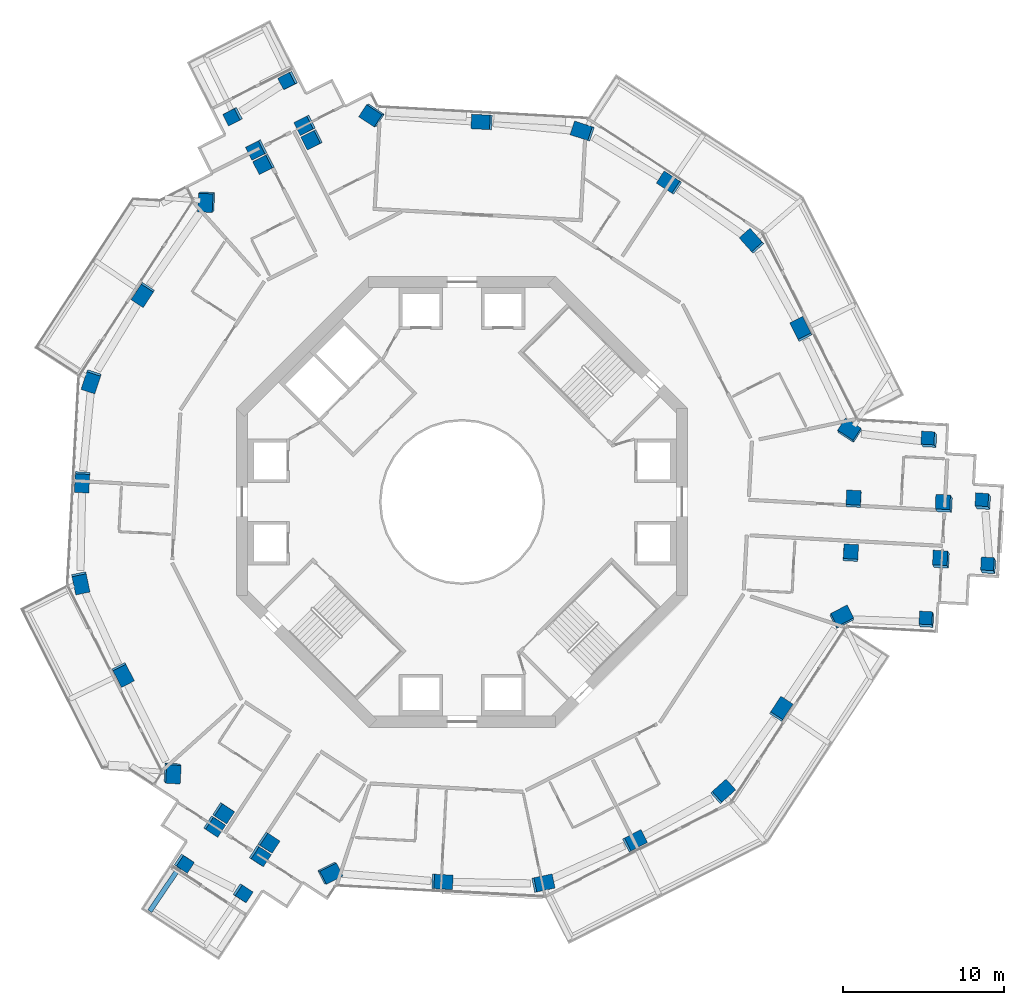
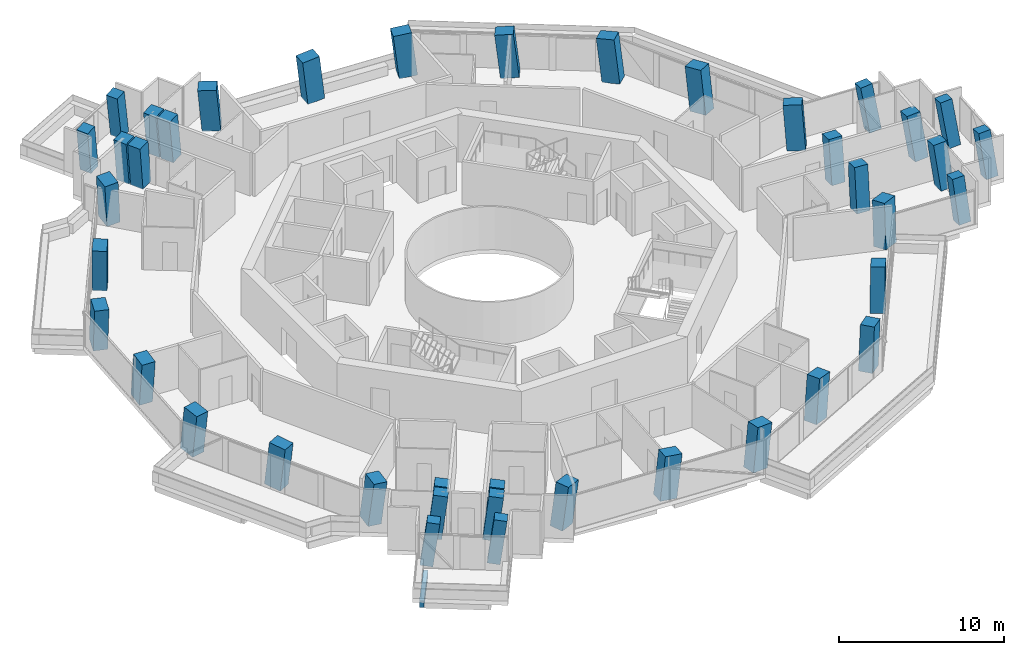
# One storey, part 1 of 23: 41 columns, 1 beam.
"""IFC4 building model written with IfcOpenShell, lengths in metres."""

from ifc_helpers import new_model, si_unit, direction, frame, origin, origin_2d, place, context, subcontext, project, spatial, rectangle, extrude, material, material_profile, profile_set, type_object, element, save


model = new_model("IFC4")

# Units and contexts
model_context = context("Model", 3, precision=1e-05, world=origin(), true_north=direction((0.0, 1.0)))
body_context = subcontext(model_context, "Body", "Model", "MODEL_VIEW")
ifc_project = project(units=[si_unit("LENGTHUNIT", "METRE"), si_unit("AREAUNIT", "SQUARE_METRE"), si_unit("VOLUMEUNIT", "CUBIC_METRE"), si_unit("PLANEANGLEUNIT", "RADIAN"), si_unit("MASSUNIT", "GRAM", prefix="KILO")], contexts=[model_context])

# Site, building, storey
site_placement = place(None, origin())
site = spatial("IfcSite", under=ifc_project, at=site_placement, CompositionType="ELEMENT")
building_placement = place(site_placement, origin())
building = spatial("IfcBuilding", under=site, at=building_placement, Name="Verdalira Terraces Hotel", CompositionType="ELEMENT")
storey_placement = place(building_placement, frame((0.0, 0.0, 143.5)))
storey = spatial("IfcBuildingStorey", under=building, at=storey_placement, Name="L34", CompositionType="ELEMENT", Elevation=143.5)

# Columns
ifc_material_1 = material(Name="Concrete C60", Category="concrete")
ifc_material_profile_1 = material_profile(ifc_material_1, rectangle(XDim=1.149902, YDim=0.899902, at=origin_2d()), Name="RC 1150X900")
ifc_profile_set_1 = profile_set([ifc_material_profile_1], Name="Concrete C60")
column_type_1 = type_object("IfcColumnType", Name="Column RC 1150X900 C60", PredefinedType="COLUMN", material=ifc_profile_set_1)
column_1_placement = place(storey_placement, frame((-15.820068, 18.646973, 0.0), z_axis=(-0.088026019, -0.075939545, 0.993219314), x_axis=(0.047605122, 0.995629833, 0.080342946)))
element("IfcColumn", 1, at=column_1_placement, inside=storey, type_object=column_type_1, Name="Column C01", PredefinedType="COLUMN", context=body_context, shape_type="SweptSolid", body=[
    extrude(rectangle(XDim=1.149902, YDim=0.899902, at=origin_2d()), origin(), (0.0, 0.0, 1.0), 3.21167),
])
column_2_placement = place(storey_placement, frame((-19.772705, 12.899414, 0.0), z_axis=(-0.060536429, -0.094531133, 0.993679629), x_axis=(-0.54295729, -0.832224418, -0.112249269)))
element("IfcColumn", 2, at=column_2_placement, inside=storey, type_object=column_type_1, Name="Column C02", PredefinedType="COLUMN", context=body_context, shape_type="SweptSolid", body=[
    extrude(rectangle(XDim=1.149902, YDim=0.899902, at=origin_2d()), origin(), (0.0, 0.0, 1.0), 3.210205),
])
column_3_placement = place(storey_placement, frame((-22.99292, 7.52417, 0.0), z_axis=(-0.034820141, -0.109630225, 0.993362357), x_axis=(0.308730223, 0.944169139, 0.115022986)))
element("IfcColumn", 3, at=column_3_placement, inside=storey, type_object=column_type_1, Name="Column C03", PredefinedType="COLUMN", context=body_context, shape_type="SweptSolid", body=[
    extrude(rectangle(XDim=1.149902, YDim=0.899902, at=origin_2d()), origin(), (0.0, 0.0, 1.0), 3.211182),
])
column_4_placement = place(storey_placement, frame((-23.573242, 1.284912, 0.0), z_axis=(-0.00517143, -0.112174402, 0.993675078), x_axis=(-0.054182514, -0.992197214, -0.112289553)))
element("IfcColumn", 4, at=column_4_placement, inside=storey, type_object=column_type_1, Name="Column C04", PredefinedType="COLUMN", context=body_context, shape_type="SweptSolid", body=[
    extrude(rectangle(XDim=1.149902, YDim=0.899902, at=origin_2d()), origin(), (0.0, 0.0, 1.0), 3.210205),
])
column_5_placement = place(storey_placement, frame((-23.674561, -4.980469, 0.0), z_axis=(0.024632565, -0.112367071, 0.993361404), x_axis=(-0.204463664, 0.97209178, 0.115031217)))
element("IfcColumn", 5, at=column_5_placement, inside=storey, type_object=column_type_1, Name="Column C05", PredefinedType="COLUMN", context=body_context, shape_type="SweptSolid", body=[
    extrude(rectangle(XDim=1.149902, YDim=0.899902, at=origin_2d()), origin(), (0.0, 0.0, 1.0), 3.211182),
])
column_6_placement = place(storey_placement, frame((-21.057617, -10.673828, 0.0), z_axis=(0.051637931, -0.099777564, 0.99366894), x_axis=(0.449211123, -0.88633415, -0.112343851)))
element("IfcColumn", 6, at=column_6_placement, inside=storey, type_object=column_type_1, Name="Column C06", PredefinedType="COLUMN", context=body_context, shape_type="SweptSolid", body=[
    extrude(rectangle(XDim=1.149902, YDim=0.899902, at=origin_2d()), origin(), (0.0, 0.0, 1.0), 3.210205),
])
column_7_placement = place(storey_placement, frame((-18.006836, -16.803223, 0.0), z_axis=(0.080644485, -0.084900932, 0.993120486), x_axis=(0.06063112, 0.994938482, 0.080132915)))
element("IfcColumn", 7, at=column_7_placement, inside=storey, type_object=column_type_1, Name="Column C07", PredefinedType="COLUMN", context=body_context, shape_type="SweptSolid", body=[
    extrude(rectangle(XDim=1.149902, YDim=0.899902, at=origin_2d()), origin(), (0.0, 0.0, 1.0), 3.212158),
])
column_8_placement = place(storey_placement, frame((-8.23877, -23.023926, 0.0), z_axis=(0.109841509, -0.038311502, 0.993210487), x_axis=(-0.886135997, -0.456398545, 0.080395044)))
element("IfcColumn", 8, at=column_8_placement, inside=storey, type_object=column_type_1, Name="Column C10", PredefinedType="COLUMN", context=body_context, shape_type="SweptSolid", body=[
    extrude(rectangle(XDim=1.149902, YDim=0.899902, at=origin_2d()), origin(), (0.0, 0.0, 1.0), 3.21167),
])
column_9_placement = place(storey_placement, frame((-1.284912, -23.573242, 0.0), z_axis=(0.112174402, -0.00517143, 0.993675078), x_axis=(0.992197214, -0.054182514, -0.112289553)))
element("IfcColumn", 9, at=column_9_placement, inside=storey, type_object=column_type_1, Name="Column C11", PredefinedType="COLUMN", context=body_context, shape_type="SweptSolid", body=[
    extrude(rectangle(XDim=1.149902, YDim=0.899902, at=origin_2d()), origin(), (0.0, 0.0, 1.0), 3.210205),
])
column_10_placement = place(storey_placement, frame((4.980469, -23.674561, 0.0), z_axis=(0.112367071, 0.024632565, 0.993361404), x_axis=(-0.97209178, -0.204463664, 0.115031217)))
element("IfcColumn", 10, at=column_10_placement, inside=storey, type_object=column_type_1, Name="Column C12", PredefinedType="COLUMN", context=body_context, shape_type="SweptSolid", body=[
    extrude(rectangle(XDim=1.149902, YDim=0.899902, at=origin_2d()), origin(), (0.0, 0.0, 1.0), 3.211182),
])
column_11_placement = place(storey_placement, frame((10.673828, -21.057617, 0.0), z_axis=(0.099777564, 0.051637931, 0.99366894), x_axis=(0.88633415, 0.449211123, -0.112343851)))
element("IfcColumn", 11, at=column_11_placement, inside=storey, type_object=column_type_1, Name="Column C13", PredefinedType="COLUMN", context=body_context, shape_type="SweptSolid", body=[
    extrude(rectangle(XDim=1.149902, YDim=0.899902, at=origin_2d()), origin(), (0.0, 0.0, 1.0), 3.210205),
])
column_12_placement = place(storey_placement, frame((16.150391, -18.012451, 0.0), z_axis=(0.084997843, 0.077471201, 0.993364777), x_axis=(-0.739822895, -0.662900147, 0.115002085)))
element("IfcColumn", 12, at=column_12_placement, inside=storey, type_object=column_type_1, Name="Column C14", PredefinedType="COLUMN", context=body_context, shape_type="SweptSolid", body=[
    extrude(rectangle(XDim=1.149902, YDim=0.899902, at=origin_2d()), origin(), (0.0, 0.0, 1.0), 3.211182),
])
column_13_placement = place(storey_placement, frame((19.772705, -12.899414, 0.0), z_axis=(0.060536429, 0.094531133, 0.993679629), x_axis=(0.54295729, 0.832224418, -0.112249269)))
element("IfcColumn", 13, at=column_13_placement, inside=storey, type_object=column_type_1, Name="Column C15", PredefinedType="COLUMN", context=body_context, shape_type="SweptSolid", body=[
    extrude(rectangle(XDim=1.149902, YDim=0.899902, at=origin_2d()), origin(), (0.0, 0.0, 1.0), 3.210205),
])
column_14_placement = place(storey_placement, frame((23.55542, -7.192627, 0.0), z_axis=(0.033215582, 0.112264107, 0.993123102), x_axis=(-0.892028419, -0.444821817, 0.080117729)))
element("IfcColumn", 14, at=column_14_placement, inside=storey, type_object=column_type_1, Name="Column C16", PredefinedType="COLUMN", context=body_context, shape_type="SweptSolid", body=[
    extrude(rectangle(XDim=1.149902, YDim=0.899902, at=origin_2d()), origin(), (0.0, 0.0, 1.0), 3.211914),
])
column_15_placement = place(storey_placement, frame((24.058838, 4.376953, 0.0), z_axis=(-0.021740335, 0.11425078, 0.993214034), x_axis=(0.838339949, -0.539190255, 0.080374114)))
element("IfcColumn", 15, at=column_15_placement, inside=storey, type_object=column_type_1, Name="Column C21", PredefinedType="COLUMN", context=body_context, shape_type="SweptSolid", body=[
    extrude(rectangle(XDim=1.149902, YDim=0.899902, at=origin_2d()), origin(), (0.0, 0.0, 1.0), 3.21167),
])
column_16_placement = place(storey_placement, frame((21.057617, 10.673828, 0.0), z_axis=(-0.051637931, 0.099777564, 0.99366894), x_axis=(-0.449211123, 0.88633415, -0.112343851)))
element("IfcColumn", 16, at=column_16_placement, inside=storey, type_object=column_type_1, Name="Column C22", PredefinedType="COLUMN", context=body_context, shape_type="SweptSolid", body=[
    extrude(rectangle(XDim=1.149902, YDim=0.899902, at=origin_2d()), origin(), (0.0, 0.0, 1.0), 3.210205),
])
column_17_placement = place(storey_placement, frame((18.012451, 16.150391, 0.0), z_axis=(-0.077471201, 0.084997843, 0.993364777), x_axis=(0.662900147, -0.739822895, 0.115002085)))
element("IfcColumn", 17, at=column_17_placement, inside=storey, type_object=column_type_1, Name="Column C23", PredefinedType="COLUMN", context=body_context, shape_type="SweptSolid", body=[
    extrude(rectangle(XDim=1.149902, YDim=0.899902, at=origin_2d()), origin(), (0.0, 0.0, 1.0), 3.211182),
])
column_18_placement = place(storey_placement, frame((12.899414, 19.772705, 0.0), z_axis=(-0.094531133, 0.060536429, 0.993679629), x_axis=(-0.832224418, 0.54295729, -0.112249269)))
element("IfcColumn", 18, at=column_18_placement, inside=storey, type_object=column_type_1, Name="Column C24", PredefinedType="COLUMN", context=body_context, shape_type="SweptSolid", body=[
    extrude(rectangle(XDim=1.149902, YDim=0.899902, at=origin_2d()), origin(), (0.0, 0.0, 1.0), 3.210205),
])
column_19_placement = place(storey_placement, frame((7.52417, 22.99292, 0.0), z_axis=(-0.109630225, 0.034820141, 0.993362357), x_axis=(0.944169139, -0.308730223, 0.115022986)))
element("IfcColumn", 19, at=column_19_placement, inside=storey, type_object=column_type_1, Name="Column C25", PredefinedType="COLUMN", context=body_context, shape_type="SweptSolid", body=[
    extrude(rectangle(XDim=1.149902, YDim=0.899902, at=origin_2d()), origin(), (0.0, 0.0, 1.0), 3.211182),
])
column_20_placement = place(storey_placement, frame((1.284912, 23.573242, 0.0), z_axis=(-0.112174402, 0.00517143, 0.993675078), x_axis=(-0.992197214, 0.054182514, -0.112289553)))
element("IfcColumn", 20, at=column_20_placement, inside=storey, type_object=column_type_1, Name="Column C26", PredefinedType="COLUMN", context=body_context, shape_type="SweptSolid", body=[
    extrude(rectangle(XDim=1.149902, YDim=0.899902, at=origin_2d()), origin(), (0.0, 0.0, 1.0), 3.210205),
])
column_21_placement = place(storey_placement, frame((-5.548584, 23.99585, 0.0), z_axis=(-0.113860152, -0.027286912, 0.993121992), x_axis=(0.830844982, -0.550705668, 0.080124173)))
element("IfcColumn", 21, at=column_21_placement, inside=storey, type_object=column_type_1, Name="Column C27", PredefinedType="COLUMN", context=body_context, shape_type="SweptSolid", body=[
    extrude(rectangle(XDim=1.149902, YDim=0.899902, at=origin_2d()), origin(), (0.0, 0.0, 1.0), 3.211914),
])
ifc_material_2 = material(Name="Concrete C60", Category="concrete")
ifc_material_profile_2 = material_profile(ifc_material_2, rectangle(XDim=0.800049, YDim=0.800049, at=origin_2d()), Name="RC 800X800")
ifc_profile_set_2 = profile_set([ifc_material_profile_2], Name="Concrete C60")
column_type_2 = type_object("IfcColumnType", Name="Column RC 800X800 C60", PredefinedType="COLUMN", material=ifc_profile_set_2)
column_22_placement = place(storey_placement, frame((-17.297363, -22.395996, 0.0), z_axis=(0.106936896, -0.081150694, 0.990948568), x_axis=(0.830755666, -0.54029344, -0.133895566)))
element("IfcColumn", 22, at=column_22_placement, inside=storey, type_object=column_type_2, Name="Column C08", PredefinedType="COLUMN", context=body_context, shape_type="SweptSolid", body=[
    extrude(rectangle(XDim=0.800049, YDim=0.800049, at=origin_2d()), origin(), (0.0, 0.0, 1.0), 3.218994),
])
column_23_placement = place(storey_placement, frame((-13.656494, -24.245605, 0.0), z_axis=(0.115616599, -0.063877412, 0.991237851), x_axis=(0.829433427, -0.542852033, -0.131726462)))
element("IfcColumn", 23, at=column_23_placement, inside=storey, type_object=column_type_2, Name="Column C09", PredefinedType="COLUMN", context=body_context, shape_type="SweptSolid", body=[
    extrude(rectangle(XDim=0.800049, YDim=0.800049, at=origin_2d()), origin(), (0.0, 0.0, 1.0), 3.218018),
])
column_24_placement = place(storey_placement, frame((28.852295, -7.371338, 0.0), z_axis=(-0.063671457, 0.140425055, 0.988041876), x_axis=(0.996517946, -0.044458986, 0.070536388)))
element("IfcColumn", 24, at=column_24_placement, inside=storey, type_object=column_type_2, Name="Column C17", PredefinedType="COLUMN", context=body_context, shape_type="SweptSolid", body=[
    extrude(rectangle(XDim=0.800049, YDim=0.800049, at=origin_2d()), origin(), (0.0, 0.0, 1.0), 3.228516),
])
column_25_placement = place(storey_placement, frame((32.699463, -4.035645, 0.0), z_axis=(-0.079247907, 0.157893168, 0.984271058), x_axis=(0.067573768, 0.985956147, -0.152722829)))
element("IfcColumn", 25, at=column_25_placement, inside=storey, type_object=column_type_2, Name="Column C18", PredefinedType="COLUMN", context=body_context, shape_type="SweptSolid", body=[
    extrude(rectangle(XDim=0.800049, YDim=0.800049, at=origin_2d()), origin(), (0.0, 0.0, 1.0), 3.240967),
])
column_26_placement = place(storey_placement, frame((32.375977, -0.052246, 0.0), z_axis=(-0.097942633, 0.156016145, 0.982886669), x_axis=(0.069857808, 0.986276736, -0.149593072)))
element("IfcColumn", 26, at=column_26_placement, inside=storey, type_object=column_type_2, Name="Column C19", PredefinedType="COLUMN", context=body_context, shape_type="SweptSolid", body=[
    extrude(rectangle(XDim=0.800049, YDim=0.800049, at=origin_2d()), origin(), (0.0, 0.0, 1.0), 3.245361),
])
column_27_placement = place(storey_placement, frame((29.040283, 3.794922, 0.0), z_axis=(-0.115895514, 0.140278726, 0.983305705), x_axis=(-0.99177512, 0.037793943, -0.122285443)))
element("IfcColumn", 27, at=column_27_placement, inside=storey, type_object=column_type_2, Name="Column C20", PredefinedType="COLUMN", context=body_context, shape_type="SweptSolid", body=[
    extrude(rectangle(XDim=0.800049, YDim=0.800049, at=origin_2d()), origin(), (0.0, 0.0, 1.0), 3.244141),
])
column_28_placement = place(storey_placement, frame((-10.746582, 26.177979, 0.0), z_axis=(-0.123773406, -0.052027302, 0.990945661), x_axis=(-0.883340125, -0.449195358, -0.133916968)))
element("IfcColumn", 28, at=column_28_placement, inside=storey, type_object=column_type_2, Name="Column C28", PredefinedType="COLUMN", context=body_context, shape_type="SweptSolid", body=[
    extrude(rectangle(XDim=0.800049, YDim=0.800049, at=origin_2d()), origin(), (0.0, 0.0, 1.0), 3.218994),
])
column_29_placement = place(storey_placement, frame((-14.169189, 23.949707, 0.0), z_axis=(-0.113113174, -0.068201706, 0.991238587), x_axis=(-0.884776387, -0.44701268, -0.131720955)))
element("IfcColumn", 29, at=column_29_placement, inside=storey, type_object=column_type_2, Name="Column C29", PredefinedType="COLUMN", context=body_context, shape_type="SweptSolid", body=[
    extrude(rectangle(XDim=0.800049, YDim=0.800049, at=origin_2d()), origin(), (0.0, 0.0, 1.0), 3.218018),
])
ifc_material_3 = material(Name="Concrete C60", Category="concrete")
ifc_material_profile_3 = material_profile(ifc_material_3, rectangle(XDim=0.899902, YDim=0.899902, at=origin_2d()), Name="RC 900X900")
ifc_profile_set_3 = profile_set([ifc_material_profile_3], Name="Concrete C60")
column_type_3 = type_object("IfcColumnType", Name="Column RC 900X900 C60", PredefinedType="COLUMN", material=ifc_profile_set_3)
for number, where, z_axis, x_axis, name in (
    (30, (-9.267334, 22.499268, 0.0), (-0.106581231, -0.044928322, 0.993288421), (-0.451134458, 0.892419764, -0.008041515), "Column C30"),
    (31, (-12.260986, 20.981689, 0.0), (-0.099284813, -0.059069142, 0.993304265), (-0.452446487, 0.891757385, 0.007806549), "Column C31"),
):
    element("IfcColumn", number, at=place(storey_placement, frame(where, z_axis=z_axis, x_axis=x_axis)), inside=storey, type_object=column_type_3, Name=name, PredefinedType="COLUMN", context=body_context, shape_type="SweptSolid", body=[
        extrude(rectangle(XDim=0.899902, YDim=0.899902, at=origin_2d()), origin(), (0.0, 0.0, 1.0), 3.211426),
    ])
for number, where, z_axis, x_axis, name in (
    (32, (-9.70459, 23.398682, 0.0), (-0.110776304, -0.047030543, 0.992731957), (-0.451206818, 0.892382902, -0.008072442), "Column C32"),
    (33, (-12.713135, 21.873779, 0.0), (-0.103483178, -0.061314922, 0.992739499), (-0.452980622, 0.891485868, 0.007842453), "Column C33"),
):
    element("IfcColumn", number, at=place(storey_placement, frame(where, z_axis=z_axis, x_axis=x_axis)), inside=storey, type_object=column_type_3, Name=name, PredefinedType="COLUMN", context=body_context, shape_type="SweptSolid", body=[
        extrude(rectangle(XDim=0.899902, YDim=0.899902, at=origin_2d()), origin(), (0.0, 0.0, 1.0), 3.213379),
    ])
for number, where, z_axis, x_axis, name in (
    (34, (-14.851318, -19.275391, 0.0), (0.092213012, -0.06986295, 0.993285422), (-0.547377396, -0.836847233, -0.008043305), "Column C34"),
    (35, (-12.040283, -21.109375, 0.0), (0.100880656, -0.056408023, 0.993298157), (-0.545510752, -0.838067433, 0.007810097), "Column C35"),
):
    element("IfcColumn", number, at=place(storey_placement, frame(where, z_axis=z_axis, x_axis=x_axis)), inside=storey, type_object=column_type_3, Name=name, PredefinedType="COLUMN", context=body_context, shape_type="SweptSolid", body=[
        extrude(rectangle(XDim=0.899902, YDim=0.899902, at=origin_2d()), origin(), (0.0, 0.0, 1.0), 3.211426),
    ])
for number, where, z_axis, x_axis, name in (
    (36, (-15.411621, -20.10376, 0.0), (0.096112636, -0.072407385, 0.992733364), (-0.547175295, -0.836979119, -0.008071663), "Column C36"),
    (37, (-12.58667, -21.946777, 0.0), (0.104850711, -0.05895953, 0.992738688), (-0.545516291, -0.838063521, 0.007842889), "Column C37"),
):
    element("IfcColumn", number, at=place(storey_placement, frame(where, z_axis=z_axis, x_axis=x_axis)), inside=storey, type_object=column_type_3, Name=name, PredefinedType="COLUMN", context=body_context, shape_type="SweptSolid", body=[
        extrude(rectangle(XDim=0.899902, YDim=0.899902, at=origin_2d()), origin(), (0.0, 0.0, 1.0), 3.213379),
    ])
for number, where, z_axis, x_axis, name in (
    (38, (24.118652, -3.223877, 0.0), (0.014367902, 0.114791172, 0.993285734), (0.998433368, -0.05537253, -0.008043118), "Column C38"),
    (39, (24.30127, 0.127441, 0.0), (-0.001596456, 0.115553042, 0.993300028), (0.998546358, -0.053330959, 0.007809011), "Column C39"),
):
    element("IfcColumn", number, at=place(storey_placement, frame(where, z_axis=z_axis, x_axis=x_axis)), inside=storey, type_object=column_type_3, Name=name, PredefinedType="COLUMN", context=body_context, shape_type="SweptSolid", body=[
        extrude(rectangle(XDim=0.899902, YDim=0.899902, at=origin_2d()), origin(), (0.0, 0.0, 1.0), 3.211426),
    ])
column_30_placement = place(storey_placement, frame((29.766357, -3.647705, 0.0), z_axis=(-0.081139187, 0.144314536, 0.986199649), x_axis=(0.995243679, -0.04178877, 0.087998399)))
element("IfcColumn", 40, at=column_30_placement, inside=storey, type_object=column_type_3, Name="Column C40", PredefinedType="COLUMN", context=body_context, shape_type="SweptSolid", body=[
    extrude(rectangle(XDim=0.899902, YDim=0.899902, at=origin_2d()), origin(), (0.0, 0.0, 1.0), 3.234619),
])
column_31_placement = place(storey_placement, frame((29.955322, -0.180664, 0.0), z_axis=(-0.097363951, 0.14491554, 0.984641939), x_axis=(0.993775944, -0.039648946, 0.104102514)))
element("IfcColumn", 41, at=column_31_placement, inside=storey, type_object=column_type_3, Name="Column C41", PredefinedType="COLUMN", context=body_context, shape_type="SweptSolid", body=[
    extrude(rectangle(XDim=0.899902, YDim=0.899902, at=origin_2d()), origin(), (0.0, 0.0, 1.0), 3.239746),
])

# Beam
ifc_material_4 = material(Name="Concrete C40", Category="concrete")
ifc_material_profile_4 = material_profile(ifc_material_4, rectangle(XDim=0.300049, YDim=0.5, at=origin_2d()), Name="RC 300X500")
ifc_profile_set_4 = profile_set([ifc_material_profile_4], Name="Concrete C40")
beam_type = type_object("IfcBeamType", Name="Balcony cantilever beam RC 300X500 C40", PredefinedType="BEAM", material=ifc_profile_set_4)
beam_placement = place(storey_placement, frame((-17.554443, -22.701172, -0.560059), z_axis=(-0.560348726, -0.828256787, 0.0), x_axis=(0.828256787, -0.560348726, 0.0)))
element("IfcBeam", 42, at=beam_placement, inside=storey, type_object=beam_type, Name="Balcony cantilever beam R19-1", PredefinedType="BEAM", context=body_context, shape_type="SweptSolid", body=[
    extrude(rectangle(XDim=0.300049, YDim=0.5, at=origin_2d()), origin(), (0.0, 0.0, 1.0), 3.25415),
])

save(model, "model.ifc")
